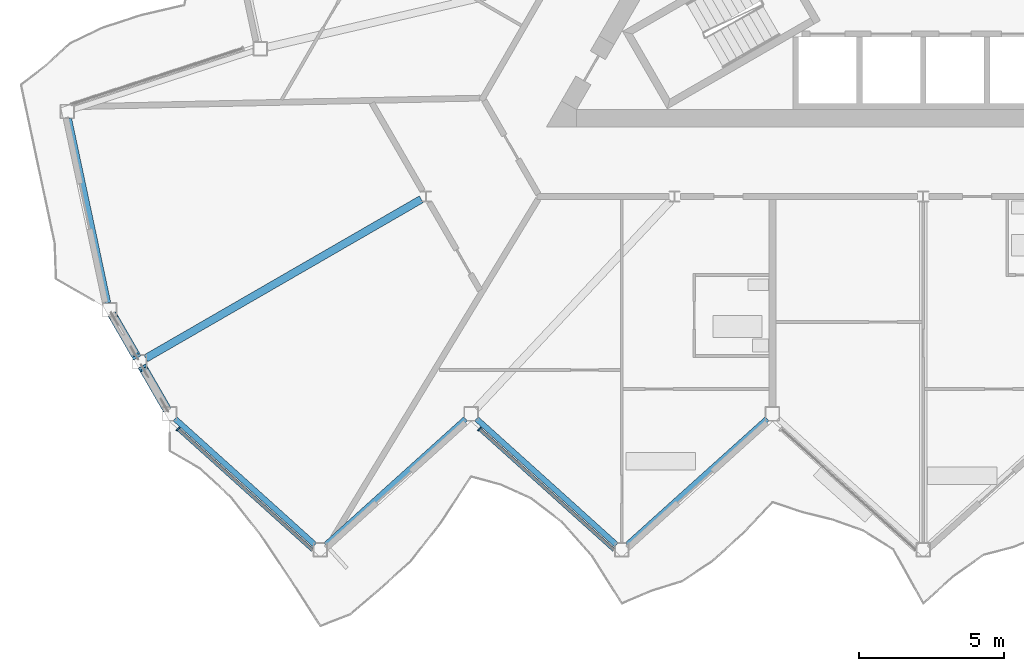
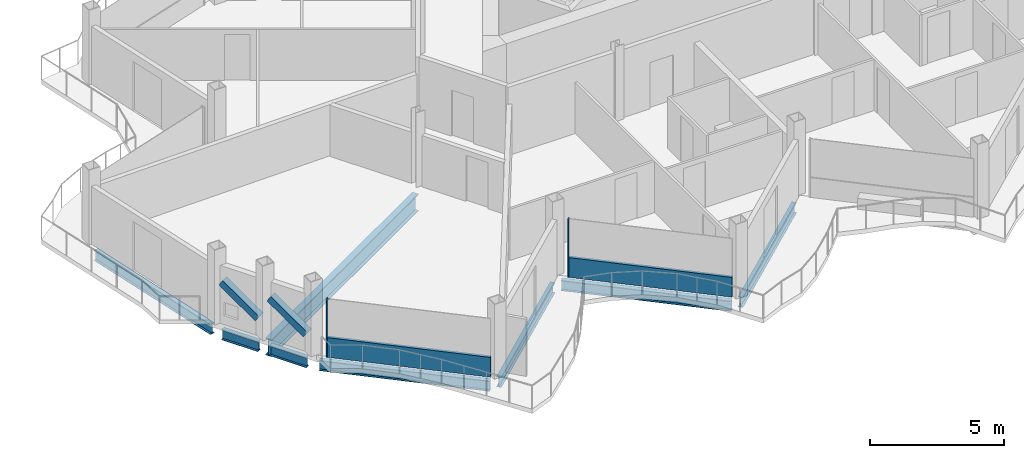
# One storey, part 4 of 25: 8 beams, 6 members, 2 elements without a shape of their own.
"""IFC4 building model written with IfcOpenShell, lengths in metres."""

from ifc_helpers import new_model, si_unit, direction, frame, origin, origin_2d, place, context, subcontext, project, spatial, rectangle, hollow_rectangle, i_section, extrude, material, layer, layer_set, material_profile, profile_set, type_object, element, aggregate, save


model = new_model("IFC4")

# Units and contexts
model_context = context("Model", 3, precision=1e-05, world=origin(), true_north=direction((0.0, 1.0)))
body_context = subcontext(model_context, "Body", "Model", "MODEL_VIEW")
ifc_project = project(units=[si_unit("LENGTHUNIT", "METRE"), si_unit("AREAUNIT", "SQUARE_METRE"), si_unit("VOLUMEUNIT", "CUBIC_METRE"), si_unit("PLANEANGLEUNIT", "RADIAN"), si_unit("MASSUNIT", "GRAM", prefix="KILO")], contexts=[model_context])

# Site, building, storey
site_placement = place(None, origin())
site = spatial("IfcSite", under=ifc_project, at=site_placement, CompositionType="ELEMENT")
building_placement = place(site_placement, origin())
building = spatial("IfcBuilding", under=site, at=building_placement, Name="Cormorant Prow Tower", CompositionType="ELEMENT")
storey_placement = place(building_placement, frame((0.0, 0.0, 395.0)))
storey = spatial("IfcBuildingStorey", under=building, at=storey_placement, Name="L90", CompositionType="ELEMENT", Elevation=395.0)

# Members
ifc_material_1 = material(Name="Structural steel ASTM A500 Gr C", Category="steel")
ifc_material_profile_1 = material_profile(ifc_material_1, hollow_rectangle(XDim=0.3046875, YDim=0.3046875, WallThickness=0.01171875, at=origin_2d()), Name="HSS12x12x1/2")
ifc_profile_set_1 = profile_set([ifc_material_profile_1], Name="Structural steel ASTM A500 Gr C")
member_type_1 = type_object("IfcMemberType", Name="Chamfer brace HSS12x12x1/2", PredefinedType="BRACE", material=ifc_profile_set_1)
member_1_placement = place(storey_placement, frame((-27.160400390625, -15.39599609375, 0.7705078125), z_axis=(-0.411230183851, 0.712282194217, 0.568809117095), x_axis=(-0.866028632512, -0.499994407638, 0.0)))
element("IfcMember", 1, at=member_1_placement, inside=storey, type_object=member_type_1, Name="Chamfer brace BR3 at WSW00 L90", PredefinedType="BRACE", context=body_context, shape_type="SweptSolid", body=[
    extrude(hollow_rectangle(XDim=0.3046875, YDim=0.3046875, WallThickness=0.01171875, at=origin_2d()), origin(), (0.0, 0.0, 1.0), 1.921142578125),
])
member_2_placement = place(storey_placement, frame((-26.123291015625, -17.192138671875, 0.7705078125), z_axis=(-0.411298537745, 0.71230756954, 0.568727913175), x_axis=(-0.866000359435, -0.500043375578, 0.0)))
element("IfcMember", 2, at=member_2_placement, inside=storey, type_object=member_type_1, Name="Chamfer brace BR3 at WSW01 L90", PredefinedType="BRACE", context=body_context, shape_type="SweptSolid", body=[
    extrude(hollow_rectangle(XDim=0.3046875, YDim=0.3046875, WallThickness=0.01171875, at=origin_2d()), origin(), (0.0, 0.0, 1.0), 1.92138671875),
])

# Beam
ifc_material_2 = material(Name="Structural steel ASTM A992 Gr 50", Category="steel")
ifc_material_profile_2 = material_profile(ifc_material_2, i_section(OverallWidth=0.267822265625, OverallDepth=0.77001953125, WebThickness=0.015625, FlangeThickness=0.025390625, at=origin_2d()), Name="W30x132")
ifc_profile_set_2 = profile_set([ifc_material_profile_2], Name="Structural steel ASTM A992 Gr 50")
beam_type_1 = type_object("IfcBeamType", Name="Radial floor beam W30x132", PredefinedType="BEAM", material=ifc_profile_set_2)
beam_1_placement = place(storey_placement, frame((-17.31884765625, -9.9990234375, -0.68505859375), z_axis=(-0.866018830095, -0.500011385791, 0.0), x_axis=(0.500011385791, -0.866018830095, 0.0)))
element("IfcBeam", 3, at=beam_1_placement, inside=storey, type_object=beam_type_1, Name="Radial floor beam FB3 5 L90", PredefinedType="BEAM", context=body_context, shape_type="SweptSolid", body=[
    extrude(i_section(OverallWidth=0.267822265625, OverallDepth=0.77001953125, WebThickness=0.015625, FlangeThickness=0.025390625, at=origin_2d()), origin(), (0.0, 0.0, 1.0), 10.971435546875),
])

# Curtain wall, member
ifc_material_3 = material(Name="Aluminium 6063-T6", Category="aluminium")
ifc_layer = layer(ifc_material_3, 0.159912109375)
ifc_layer_set = layer_set([ifc_layer], Name="Aluminium 6063-T6")
curtain_wall_type = type_object("IfcCurtainWallType", Name="Residential unitised curtain wall 160", PredefinedType="NOTDEFINED", material=ifc_layer_set)
curtain_wall_1_placement = place(storey_placement, origin())
curtain_wall_1 = element("IfcCurtainWall", 4, at=curtain_wall_1_placement, inside=storey, type_object=curtain_wall_type, Name="Residential curtain wall S00", PredefinedType="NOTDEFINED")
ifc_material_4 = material(Name="Aluminium 6063-T6", Category="aluminium")
ifc_material_profile_3 = material_profile(ifc_material_4, rectangle(XDim=0.159912109375, YDim=0.050048828125, at=origin_2d()), Name="Residential mullion 50x160")
ifc_profile_set_3 = profile_set([ifc_material_profile_3], Name="Aluminium 6063-T6")
member_type_2 = type_object("IfcMemberType", Name="Residential mullion 50x160", PredefinedType="MULLION", material=ifc_profile_set_3)
member_3_placement = place(storey_placement, frame((-25.70947265625, -17.926513671875, 0.0), z_axis=(0.0, 0.0, 1.0), x_axis=(0.669130603959, 0.743144827638, 0.0)))
member_3 = element("IfcMember", 5, at=member_3_placement, type_object=member_type_2, Name="Residential mullion S00", PredefinedType="MULLION", context=body_context, shape_type="SweptSolid", body=[
    extrude(rectangle(XDim=0.159912109375, YDim=0.050048828125, at=origin_2d()), origin(), (0.0, 0.0, 1.0), 2.6337890625),
])

curtain_wall_2_placement = place(storey_placement, origin())
curtain_wall_2 = element("IfcCurtainWall", 6, at=curtain_wall_2_placement, inside=storey, type_object=curtain_wall_type, Name="Residential curtain wall S02", PredefinedType="NOTDEFINED")
member_4_placement = place(storey_placement, frame((-15.309326171875, -17.926513671875, 0.0), z_axis=(0.0, 0.0, 1.0), x_axis=(0.669130603959, 0.743144827638, 0.0)))
member_4 = element("IfcMember", 7, at=member_4_placement, type_object=member_type_2, Name="Residential mullion S02", PredefinedType="MULLION", context=body_context, shape_type="SweptSolid", body=[
    extrude(rectangle(XDim=0.159912109375, YDim=0.050048828125, at=origin_2d()), origin(), (0.0, 0.0, 1.0), 2.6337890625),
])

# Member
ifc_material_5 = material(Name="Terracotta", Category="masonry")
ifc_material_profile_4 = material_profile(ifc_material_5, rectangle(XDim=0.1201171875, YDim=0.89990234375, at=origin_2d()), Name="Residential terracotta spandrel rail 120x900")
ifc_profile_set_4 = profile_set([ifc_material_profile_4], Name="Terracotta")
member_type_3 = type_object("IfcMemberType", Name="Residential terracotta spandrel rail 120x900", PredefinedType="USERDEFINED", material=ifc_profile_set_4)
member_5_placement = place(storey_placement, frame((-25.69091796875, -17.943115234375, 0.449951171875), z_axis=(0.743139827378, -0.669136157269, 0.0), x_axis=(0.669136157269, 0.743139827378, 0.0)))
member_5 = element("IfcMember", 8, at=member_5_placement, type_object=member_type_3, Name="Residential spandrel rail S00", ObjectType="TRANSOM", PredefinedType="USERDEFINED", context=body_context, shape_type="SweptSolid", body=[
    extrude(rectangle(XDim=0.1201171875, YDim=0.89990234375, at=origin_2d()), origin(), (0.0, 0.0, 1.0), 6.21533203125),
])

aggregate(curtain_wall_1, [member_3, member_5])

member_6_placement = place(storey_placement, frame((-15.290771484375, -17.943115234375, 0.449951171875), z_axis=(0.743139827378, -0.669136157269, 0.0), x_axis=(0.669136157269, 0.743139827378, 0.0)))
member_6 = element("IfcMember", 9, at=member_6_placement, type_object=member_type_3, Name="Residential spandrel rail S02", ObjectType="TRANSOM", PredefinedType="USERDEFINED", context=body_context, shape_type="SweptSolid", body=[
    extrude(rectangle(XDim=0.1201171875, YDim=0.89990234375, at=origin_2d()), origin(), (0.0, 0.0, 1.0), 6.21533203125),
])

aggregate(curtain_wall_2, [member_4, member_6])

# Beams
ifc_material_6 = material(Name="Structural steel ASTM A992 Gr 50", Category="steel")
ifc_material_profile_5 = material_profile(ifc_material_6, i_section(OverallWidth=0.19287109375, OverallDepth=0.466064453125, WebThickness=0.011474609375, FlangeThickness=0.01904296875, at=origin_2d()), Name="W18x65")
ifc_profile_set_5 = profile_set([ifc_material_profile_5], Name="Structural steel ASTM A992 Gr 50")
beam_type_2 = type_object("IfcBeamType", Name="Spandrel beam W18x65", PredefinedType="SPANDREL", material=ifc_profile_set_5)
for number, where, z_axis, x_axis, name in (
    (10, (-25.814208984375, -17.572998046875, -0.532958984375), (0.743131573737, -0.669145323614, 0.0), (0.669145323614, 0.743131573737, 0.0), "Spandrel beam SB4 S00-S01 L90"),
    (11, (-20.6142578125, -21.920654296875, -0.532958984375), (0.743131573737, 0.669145323614, 0.0), (-0.669145323614, 0.743131573737, 0.0), "Spandrel beam SB4 S01-S02 L90"),
):
    element("IfcBeam", number, at=place(storey_placement, frame(where, z_axis=z_axis, x_axis=x_axis)), inside=storey, type_object=beam_type_2, Name=name, PredefinedType="SPANDREL", context=body_context, shape_type="SweptSolid", body=[
        extrude(i_section(OverallWidth=0.19287109375, OverallDepth=0.466064453125, WebThickness=0.011474609375, FlangeThickness=0.01904296875, at=origin_2d()), origin(), (0.0, 0.0, 1.0), 6.497314453125),
    ])
beam_2_placement = place(storey_placement, frame((-15.414306640625, -17.572998046875, -0.532958984375), z_axis=(0.743148397689, -0.669126638995, 0.0), x_axis=(0.669126638995, 0.743148397689, 0.0)))
element("IfcBeam", 12, at=beam_2_placement, inside=storey, type_object=beam_type_2, Name="Spandrel beam SB4 S02-S03 L90", PredefinedType="SPANDREL", context=body_context, shape_type="SweptSolid", body=[
    extrude(i_section(OverallWidth=0.19287109375, OverallDepth=0.466064453125, WebThickness=0.011474609375, FlangeThickness=0.01904296875, at=origin_2d()), origin(), (0.0, 0.0, 1.0), 6.49755859375),
])
beam_3_placement = place(storey_placement, frame((-10.214111328125, -21.920654296875, -0.532958984375), z_axis=(0.743131573737, 0.669145323614, 0.0), x_axis=(-0.669145323614, 0.743131573737, 0.0)))
element("IfcBeam", 13, at=beam_3_placement, inside=storey, type_object=beam_type_2, Name="Spandrel beam SB4 S03-S04 L90", PredefinedType="SPANDREL", context=body_context, shape_type="SweptSolid", body=[
    extrude(i_section(OverallWidth=0.19287109375, OverallDepth=0.466064453125, WebThickness=0.011474609375, FlangeThickness=0.01904296875, at=origin_2d()), origin(), (0.0, 0.0, 1.0), 6.497314453125),
])
beam_4_placement = place(storey_placement, frame((-29.4765625, -7.2138671875, -0.532958984375), z_axis=(0.207901897373, -0.978149682344, 0.0), x_axis=(0.978149682344, 0.207901897373, 0.0)))
element("IfcBeam", 14, at=beam_4_placement, inside=storey, type_object=beam_type_2, Name="Spandrel beam SB4 WNW09-WSW00 L90", PredefinedType="SPANDREL", context=body_context, shape_type="SweptSolid", body=[
    extrude(i_section(OverallWidth=0.19287109375, OverallDepth=0.466064453125, WebThickness=0.011474609375, FlangeThickness=0.01904296875, at=origin_2d()), origin(), (0.0, 0.0, 1.0), 6.49755859375),
])
for number, where, z_axis, x_axis, name in (
    (15, (-27.94873046875, -14.0302734375, -0.532958984375), (0.499959680857, -0.866048680801, 0.0), (0.866048680801, 0.499959680857, 0.0), "Spandrel beam SB4 WSW00-WSW01 L90"),
    (16, (-26.911865234375, -15.826171875, -0.532958984375), (0.499959680857, -0.866048680801, 0.0), (0.866048680801, 0.499959680857, 0.0), "Spandrel beam SB4 WSW01-S00 L90"),
):
    element("IfcBeam", number, at=place(storey_placement, frame(where, z_axis=z_axis, x_axis=x_axis)), inside=storey, type_object=beam_type_2, Name=name, PredefinedType="SPANDREL", context=body_context, shape_type="SweptSolid", body=[
        extrude(i_section(OverallWidth=0.19287109375, OverallDepth=0.466064453125, WebThickness=0.011474609375, FlangeThickness=0.01904296875, at=origin_2d()), origin(), (0.0, 0.0, 1.0), 1.573974609375),
    ])

save(model, "model.ifc")
